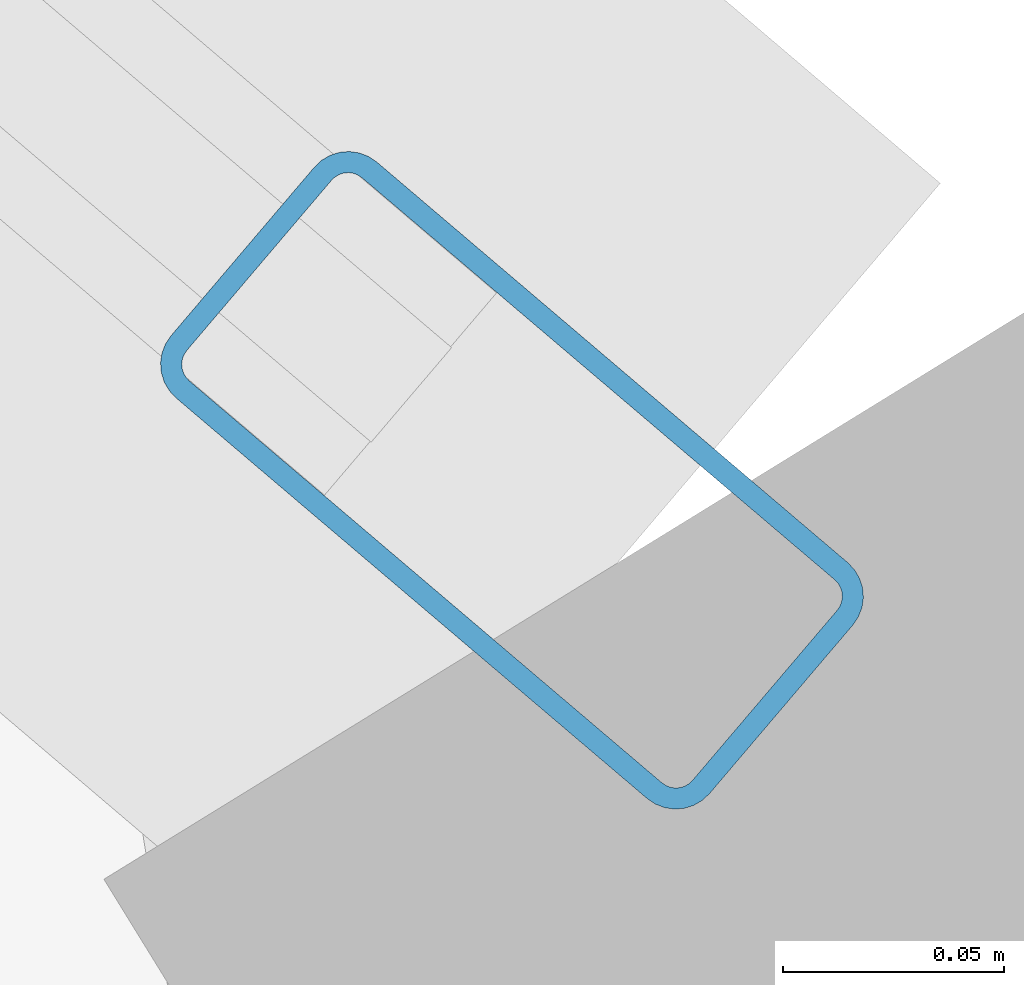
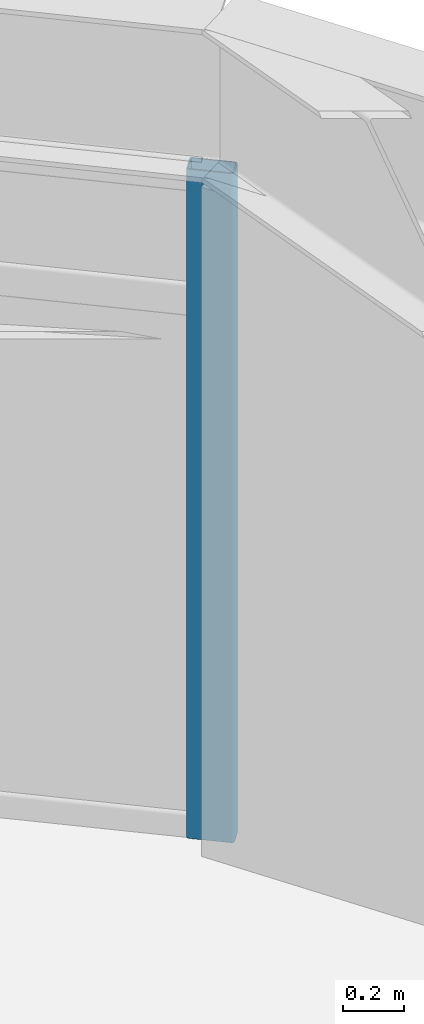
# One storey, part 10 of 21: 1 member, 1 element without a shape of its own.
"""IFC4 building model written with IfcOpenShell, lengths in metres."""

from ifc_helpers import new_model, si_unit, direction, frame, origin, origin_2d, place, context, subcontext, project, spatial, hollow_rectangle, extrude, material, layer, layer_set, material_profile, profile_set, type_object, element, aggregate, save


model = new_model("IFC4")

# Units and contexts
model_context = context("Model", 3, precision=1e-05, world=origin(), true_north=direction((0.0, 1.0)))
body_context = subcontext(model_context, "Body", "Model", "MODEL_VIEW")
ifc_project = project(units=[si_unit("LENGTHUNIT", "METRE"), si_unit("AREAUNIT", "SQUARE_METRE"), si_unit("VOLUMEUNIT", "CUBIC_METRE"), si_unit("PLANEANGLEUNIT", "RADIAN"), si_unit("MASSUNIT", "GRAM", prefix="KILO")], contexts=[model_context])

# Site, building, storey
site_placement = place(None, origin())
site = spatial("IfcSite", under=ifc_project, at=site_placement, CompositionType="ELEMENT")
building_placement = place(site_placement, origin())
building = spatial("IfcBuilding", under=site, at=building_placement, Name="Soratama Intermodal Tower", CompositionType="ELEMENT")
storey_placement = place(building_placement, frame((0.0, 0.0, 149.800048828125)))
storey = spatial("IfcBuildingStorey", under=building, at=storey_placement, Name="L36", CompositionType="ELEMENT", Elevation=149.800048828125)

# Curtain wall, member
ifc_material_1 = material(Name="Double-glazed aluminium curtain wall", Category="aluminium")
ifc_layer = layer(ifc_material_1, 0.159912109375)
ifc_layer_set = layer_set([ifc_layer], Name="Double-glazed aluminium curtain wall")
curtain_wall_type = type_object("IfcCurtainWallType", Name="CW-SYS-4", PredefinedType="NOTDEFINED", material=ifc_layer_set)
curtain_wall_placement = place(storey_placement, origin())
curtain_wall = element("IfcCurtainWall", 1, at=curtain_wall_placement, inside=storey, type_object=curtain_wall_type, Name="L36 Faceted Curtain Wall F01", PredefinedType="NOTDEFINED")
ifc_material_2 = material(Name="Anodised aluminium AA 6063-T6", Category="aluminium")
ifc_material_profile = material_profile(ifc_material_2, hollow_rectangle(XDim=0.070068359375, YDim=0.159912109375, WallThickness=0.0048828125, InnerFilletRadius=0.0048828125, OuterFilletRadius=0.010009765625, at=origin_2d()), Name="CWM160X70X5")
ifc_profile_set = profile_set([ifc_material_profile], Name="Anodised aluminium AA 6063-T6")
member_type = type_object("IfcMemberType", Name="MT-CWM-4", PredefinedType="MULLION", material=ifc_profile_set)
member_placement = place(storey_placement, frame((59.71630859375, 35.8359375, 0.0), z_axis=(0.0, 0.0, 1.0), x_axis=(-0.647857493504, -0.761761555942, 0.0)))
member = element("IfcMember", 2, at=member_placement, type_object=member_type, Name="CW-4 mullion 1", PredefinedType="MULLION", context=body_context, shape_type="SweptSolid", body=[
    extrude(hollow_rectangle(XDim=0.070068359375, YDim=0.159912109375, WallThickness=0.0048828125, InnerFilletRadius=0.0048828125, OuterFilletRadius=0.010009765625, at=origin_2d()), origin(), (0.0, 0.0, 1.0), 2.678955078125),
])
aggregate(curtain_wall, [member])

save(model, "model.ifc")
